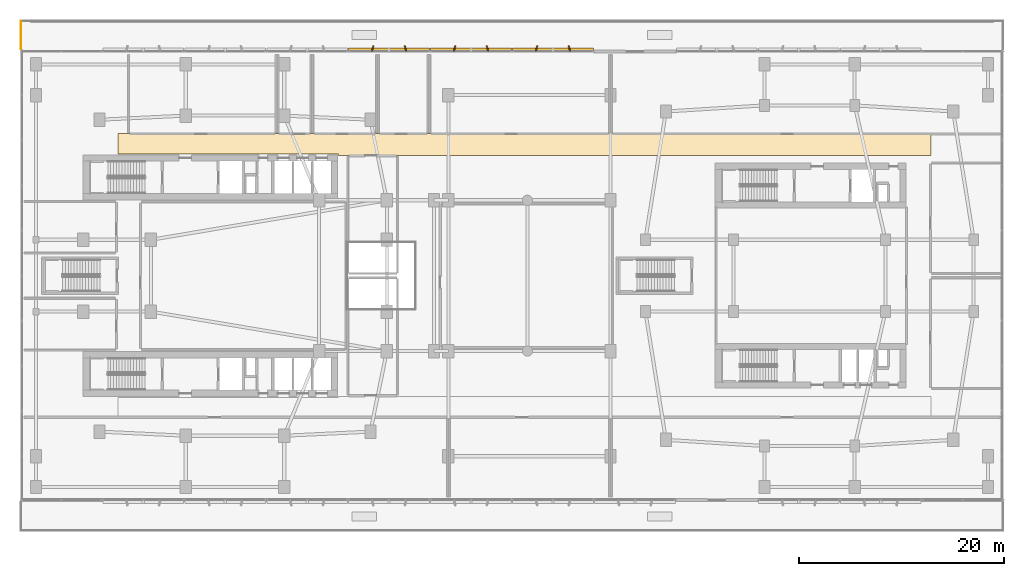
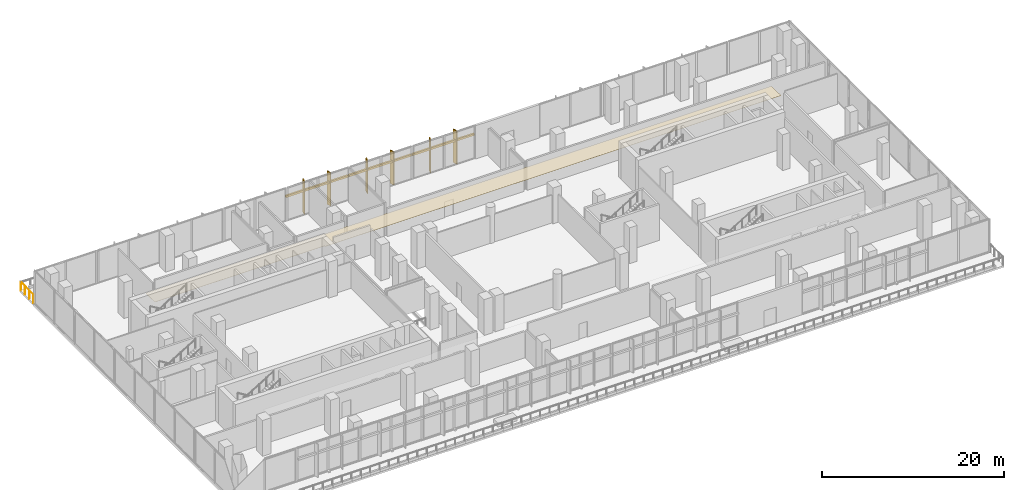
# One storey, part 26 of 30: 9 shading devices, 1 covering, 1 railing.
"""IFC4 building model written with IfcOpenShell, lengths in metres."""

from ifc_helpers import new_model, si_unit, derived_unit, direction, frame, origin, origin_2d, place, context, subcontext, project, spatial, polyline, rectangle, circle, outline, extrude, material, layer, layer_set, type_object, element, save


model = new_model("IFC4")

# Units and contexts
model_context = context("Model", 3, precision=1e-05, world=origin(), true_north=direction((0.0, 1.0)))
body_context = subcontext(model_context, "Body", "Model", "MODEL_VIEW")
ifc_project = project(units=[si_unit("LENGTHUNIT", "METRE"), si_unit("AREAUNIT", "SQUARE_METRE"), si_unit("VOLUMEUNIT", "CUBIC_METRE"), si_unit("PLANEANGLEUNIT", "RADIAN"), si_unit("MASSUNIT", "GRAM", prefix="KILO"), derived_unit("THERMALTRANSMITTANCEUNIT", [(si_unit("POWERUNIT", "WATT"), 1), (si_unit("LENGTHUNIT", "METRE"), -2), (si_unit("THERMODYNAMICTEMPERATUREUNIT", "KELVIN"), -1)])], contexts=[model_context])

# Site, building, storey
site_placement = place(None, origin())
site = spatial("IfcSite", under=ifc_project, at=site_placement, CompositionType="ELEMENT")
building_placement = place(site_placement, origin())
building = spatial("IfcBuilding", under=site, at=building_placement, Name="Kivonza Crest Hotel", CompositionType="ELEMENT")
storey_placement = place(building_placement, frame((0.0, 0.0, 10.199951171875)))
storey = spatial("IfcBuildingStorey", under=building, at=storey_placement, Name="L02", CompositionType="ELEMENT", Elevation=10.199951171875)

# Covering
ifc_material_1 = material(Name="Mineral-fibre acoustic ceiling tile", Category="gypsum")
ifc_layer = layer(ifc_material_1, 0.02490234375)
ifc_layer_set = layer_set([ifc_layer], Name="Mineral-fibre acoustic ceiling tile")
covering_type = type_object("IfcCoveringType", Name="CV-CEIL-ACOU", PredefinedType="CEILING", material=ifc_layer_set)
covering_placement = place(storey_placement, frame((0.0, 0.0, 3.0)))
element("IfcCovering", 1, at=covering_placement, inside=storey, type_object=covering_type, Name="L02 L02 North and West Podium Corridor suspended ceiling", PredefinedType="CEILING", context=body_context, shape_type="SweptSolid", body=[
    extrude(outline(polyline([(88.840087890625, 38.840087890625), (9.610107421875, 38.840087890625), (9.610107421875, 36.860107421875), (31.10009765625, 36.860107421875), (31.10009765625, 36.719970703125), (88.840087890625, 36.719970703125), (88.840087890625, 38.840087890625)])), origin(), (0.0, 0.0, 1.0), 0.025146484375),
])

# Railing
ifc_material_2 = material(Name="Laminated glass and stainless steel balustrade", Category="steel")
railing_type = type_object("IfcRailingType", Name="RL-TERR-1150", PredefinedType="BALUSTRADE", material=ifc_material_2)
railing_placement = place(storey_placement, frame((0.159912109375, 47.080078125, 0.0)))
element("IfcRailing", 2, at=railing_placement, inside=storey, type_object=railing_type, Name="L02 POD-L02-T2 perimeter safety balustrade 1", PredefinedType="BALUSTRADE", context=body_context, shape_type="SweptSolid", body=[
    extrude(circle(Radius=0.02392578125, at=origin_2d()), frame((0.0, 0.0, 1.1259765625), z_axis=(0.0, 1.0, 0.0), x_axis=(-1.0, 0.0, 0.0)), (0.0, 0.0, 1.0), 2.760009765625),
    extrude(circle(Radius=0.02099609375, at=origin_2d()), origin(), (0.0, 0.0, 1.0), 1.101806640625),
    extrude(circle(Radius=0.02099609375, at=origin_2d()), frame((0.0, 0.919921875, 0.0)), (0.0, 0.0, 1.0), 1.101806640625),
    extrude(circle(Radius=0.02099609375, at=origin_2d()), frame((0.0, 1.840087890625, 0.0)), (0.0, 0.0, 1.0), 1.101806640625),
    extrude(circle(Radius=0.02099609375, at=origin_2d()), frame((0.0, 2.760009765625, 0.0)), (0.0, 0.0, 1.0), 1.101806640625),
])

# Shading devices
ifc_material_3 = material(Name="Kiln-fired Nairobi red-ochre terracotta", Category="masonry")
shading_device_type_1 = type_object("IfcShadingDeviceType", Name="SH-BAGUETTE-300", PredefinedType="USERDEFINED", material=ifc_material_3)
for number, where, z_axis, x_axis, name in (
    (3, (51.992919921875, 47.080078125, 2.98486328125), (0.0, 0.0, 1.0), (-1.0, 0.0, 0.0), "L02 terracotta baguette screen CW-POD-L02-23"),
    (4, (44.007080078125, 47.080078125, 2.98486328125), (0.0, 0.0, 1.0), (-1.0, 0.0, 0.0), "L02 terracotta baguette screen CW-POD-L02-24"),
):
    element("IfcShadingDevice", number, at=place(storey_placement, frame(where, z_axis=z_axis, x_axis=x_axis)), inside=storey, type_object=shading_device_type_1, Name=name, ObjectType="BAGUETTE", PredefinedType="USERDEFINED", context=body_context, shape_type="SweptSolid", body=[
        extrude(rectangle(XDim=7.866943359375, YDim=0.219970703125, at=origin_2d()), origin(), (0.0, 0.0, 1.0), 0.260009765625),
    ])
shading_device_placement = place(storey_placement, frame((36.02001953125, 47.080078125, 2.98486328125), z_axis=(0.0, 0.0, 1.0), x_axis=(-1.0, 0.0, 0.0)))
element("IfcShadingDevice", 5, at=shading_device_placement, inside=storey, type_object=shading_device_type_1, Name="L02 terracotta baguette screen CW-POD-L02-25", ObjectType="BAGUETTE", PredefinedType="USERDEFINED", context=body_context, shape_type="SweptSolid", body=[
    extrude(rectangle(XDim=7.865966796875, YDim=0.219970703125, at=origin_2d()), origin(), (0.0, 0.0, 1.0), 0.260009765625),
])
ifc_material_4 = material(Name="Kiln-fired terracotta over extruded aluminium spine", Category="masonry")
shading_device_type_2 = type_object("IfcShadingDeviceType", Name="SH-FIN-550", PredefinedType="USERDEFINED", material=ifc_material_4)
for number, where, z_axis, x_axis, name in (
    (6, (53.591064453125, 47.139892578125, 0.0), (0.0, 0.0, 1.0), (-0.970295726276, -0.2419218956, 0.0), "L02 vertical solar shading fin CW-POD-L02-23-1"),
    (7, (50.39599609375, 47.139892578125, 0.0), (0.0, 0.0, 1.0), (-0.970295726276, 0.2419218956, 0.0), "L02 vertical solar shading fin CW-POD-L02-23-2"),
    (8, (45.60400390625, 47.139892578125, 0.0), (0.0, 0.0, 1.0), (-0.970295726276, -0.2419218956, 0.0), "L02 vertical solar shading fin CW-POD-L02-24-1"),
    (9, (42.408935546875, 47.139892578125, 0.0), (0.0, 0.0, 1.0), (-0.970295726276, 0.2419218956, 0.0), "L02 vertical solar shading fin CW-POD-L02-24-2"),
    (10, (37.616943359375, 47.139892578125, 0.0), (0.0, 0.0, 1.0), (-0.970295726276, -0.2419218956, 0.0), "L02 vertical solar shading fin CW-POD-L02-25-1"),
    (11, (34.423095703125, 47.139892578125, 0.0), (0.0, 0.0, 1.0), (-0.970295726276, 0.2419218956, 0.0), "L02 vertical solar shading fin CW-POD-L02-25-2"),
):
    element("IfcShadingDevice", number, at=place(storey_placement, frame(where, z_axis=z_axis, x_axis=x_axis)), inside=storey, type_object=shading_device_type_2, Name=name, ObjectType="FIN", PredefinedType="USERDEFINED", context=body_context, shape_type="SweptSolid", body=[
        extrude(rectangle(XDim=0.1201171875, YDim=0.550048828125, at=origin_2d()), origin(), (0.0, 0.0, 1.0), 4.449951171875),
    ])

save(model, "model.ifc")
